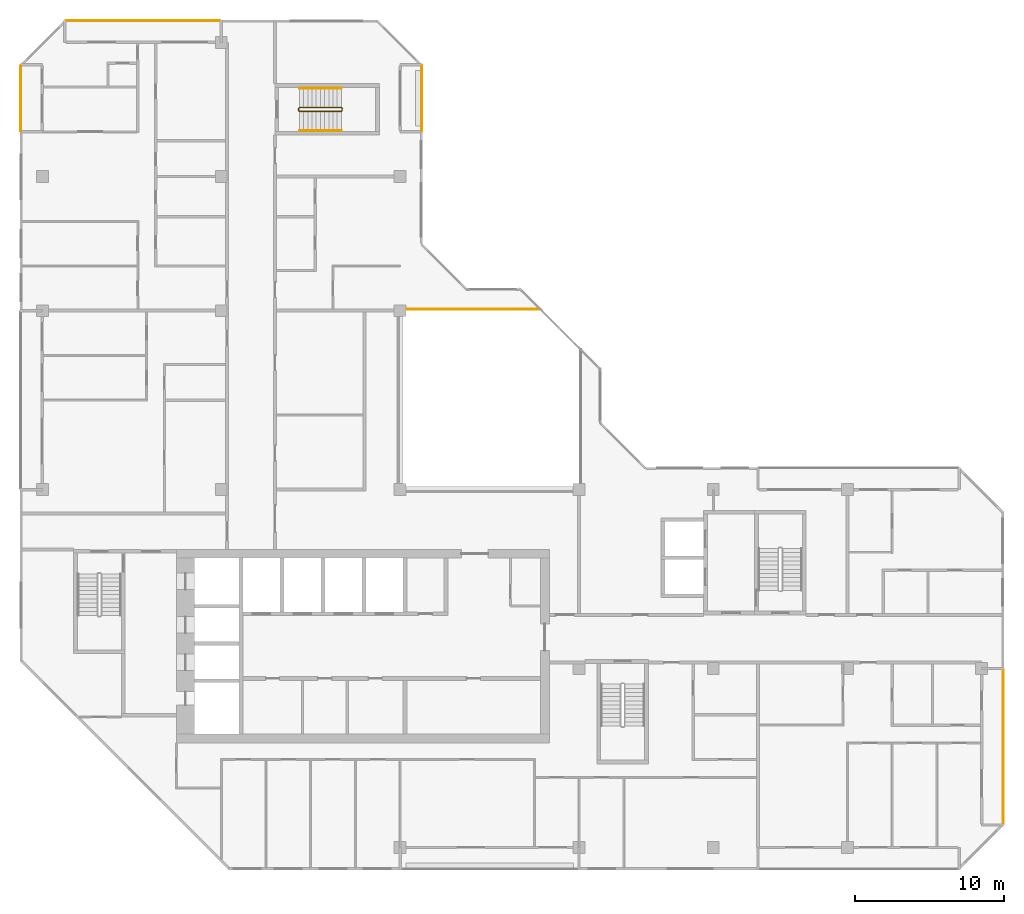
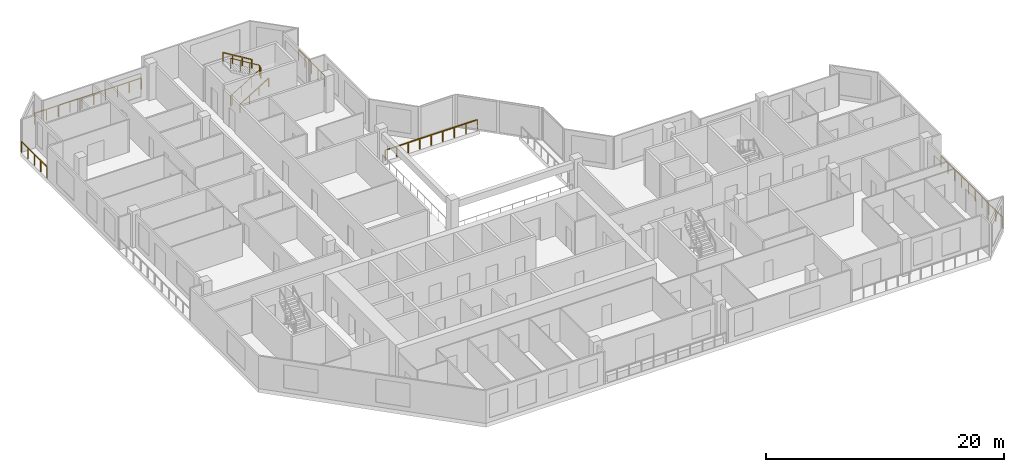
# One storey, part 13 of 13: 8 railings.
"""IFC4 building model written with IfcOpenShell, lengths in metres."""

import ifcopenshell
import ifcopenshell.guid

model = None  # the IFC model being written
_history = None  # IfcOwnerHistory: only IFC2X3 demands one
_inside = {}  # id of a spatial element -> (the spatial element, [elements in it])
_under = {}  # id of a project, library or spatial element -> (it, [spatial elements below it])
_declared = {}  # id of a project -> (the project, [libraries it declares])
_typed = {}  # id of a type object -> (the type object, [elements of that type])
_made_of = {}  # id of a material, layer set ... -> (it, [elements and type objects made of it])


def new_model(schema):
    """Start an empty IFC model of exactly this schema.

    Asked for "IFC4X3", IfcOpenShell would pick the latest addendum, in which some entities
    have other attributes; the version numbers below select the first issue.
    IFC2X3 requires an IfcOwnerHistory on every rooted entity: one is made here for all.
    """
    global model, _history
    if schema == "IFC4X3":
        model = ifcopenshell.file(schema_version=(4, 3, 0, 0))
    else:
        model = ifcopenshell.file(schema=schema)
    _inside.clear()
    _under.clear()
    _declared.clear()
    _typed.clear()
    _made_of.clear()
    _history = None
    if model.schema == "IFC2X3":
        org = make("IfcOrganization", Name="unknown")
        user = make(
            "IfcPersonAndOrganization",
            ThePerson=make("IfcPerson", FamilyName="unknown"),
            TheOrganization=org,
        )
        app = make(
            "IfcApplication",
            ApplicationDeveloper=org,
            Version="unknown",
            ApplicationFullName="unknown",
            ApplicationIdentifier="unknown",
        )
        _history = make(
            "IfcOwnerHistory",
            OwningUser=user,
            OwningApplication=app,
            ChangeAction="ADDED",
            CreationDate=0,
        )
    return model


def make(cls, **values):
    """One entity of the class cls with the attributes given. An attribute that is None is left unset."""
    return model.create_entity(
        cls, **{name: value for name, value in values.items() if value is not None}
    )


def rooted(cls, **values):
    """An entity with a GlobalId (a new one), such as an element, a storey or a relation."""
    return make(cls, GlobalId=ifcopenshell.guid.new(), OwnerHistory=_history, **values)


def si_unit(unit_type, name, prefix=None):
    """IfcSIUnit, for example si_unit("LENGTHUNIT", "METRE", prefix="MILLI")."""
    return make("IfcSIUnit", UnitType=unit_type, Prefix=prefix, Name=name)


def assignment(units):
    """IfcUnitAssignment: the units of a project."""
    return None if units is None else make("IfcUnitAssignment", Units=units)


def point(xyz):
    """IfcCartesianPoint."""
    return None if xyz is None else make("IfcCartesianPoint", Coordinates=xyz)


def direction(xyz):
    """IfcDirection."""
    return None if xyz is None else make("IfcDirection", DirectionRatios=xyz)


def frame(location, z_axis=None, x_axis=None):
    """IfcAxis2Placement3D, a coordinate frame: its origin and axes. An axis left out is left unset."""
    return make(
        "IfcAxis2Placement3D",
        Location=point(location),
        Axis=direction(z_axis),
        RefDirection=direction(x_axis),
    )


def frame_2d(location, x_axis=None):
    """IfcAxis2Placement2D, a coordinate frame in the plane: its origin and x axis."""
    return make(
        "IfcAxis2Placement2D", Location=point(location), RefDirection=direction(x_axis)
    )


def origin():
    """The frame at (0, 0, 0) with its axes left unset."""
    return frame((0.0, 0.0, 0.0))


def origin_2d():
    """The frame at (0, 0) in the plane with its x axis left unset."""
    return frame_2d((0.0, 0.0))


def place(relative_to, where):
    """IfcLocalPlacement: puts the frame where relative to a parent placement (None: the world)."""
    return make(
        "IfcLocalPlacement", PlacementRelTo=relative_to, RelativePlacement=where
    )


def context(
    kind, dimensions, precision=None, world=None, true_north=None, identifier=None
):
    """IfcGeometricRepresentationContext, for example the 3D "Model" context."""
    return make(
        "IfcGeometricRepresentationContext",
        ContextIdentifier=identifier,
        ContextType=kind,
        CoordinateSpaceDimension=dimensions,
        Precision=precision,
        WorldCoordinateSystem=world,
        TrueNorth=true_north,
    )


def subcontext(parent, identifier, kind, view, scale=None):
    """IfcGeometricRepresentationSubContext, for example "Body" below "Model"."""
    return make(
        "IfcGeometricRepresentationSubContext",
        ContextIdentifier=identifier,
        ContextType=kind,
        ParentContext=parent,
        TargetScale=scale,
        TargetView=view,
    )


def project(units=None, contexts=None):
    """IfcProject with its units and contexts."""
    return rooted(
        "IfcProject",
        Name="project",
        RepresentationContexts=contexts,
        UnitsInContext=assignment(units),
    )


def spatial(cls, under=None, at=None, **own):
    """A site, building, storey or space (cls), placed at a placement, below another one or the project."""
    s = rooted(cls, ObjectPlacement=at, **own)
    if under is not None:
        _under.setdefault(under.id(), (under, []))[1].append(s)
    return s


def profile(cls, at=None, kind="AREA", **sizes):
    """A parametric profile (cls). Its sizes go by their IFC names, for example OverallWidth=200.0."""
    return make(cls, ProfileType=kind, Position=at, **sizes)


def rectangle(**sizes):
    """IfcRectangleProfileDef."""
    return profile("IfcRectangleProfileDef", **sizes)


def extrude(swept, where, along, depth):
    """IfcExtrudedAreaSolid: the profile swept, set in the frame where, extruded along a direction by depth."""
    return make(
        "IfcExtrudedAreaSolid",
        SweptArea=swept,
        Position=where,
        ExtrudedDirection=direction(along),
        Depth=depth,
    )


def shape(context_of_items, identifier, shape_type, items):
    """IfcShapeRepresentation: the items that make up one representation, for example the "Body"."""
    return make(
        "IfcShapeRepresentation",
        ContextOfItems=context_of_items,
        RepresentationIdentifier=identifier,
        RepresentationType=shape_type,
        Items=items,
    )


def material(Name=None, Category=None):
    """IfcMaterial."""
    return make("IfcMaterial", Name=Name, Category=Category)


def made_of(thing, what):
    """Note that an element or type object is made of a material, layer set ...; save() writes the relation."""
    if what is not None:
        _made_of.setdefault(what.id(), (what, []))[1].append(thing)
    return thing


def type_object(cls, material=None, **own):
    """A type object (cls), such as IfcWallType, which elements share."""
    return made_of(rooted(cls, **own), material)


def element(
    cls,
    number,
    at=None,
    inside=None,
    cuts=None,
    type_object=None,
    material=None,
    context=None,
    identifier="Body",
    shape_type=None,
    held_by="IfcProductDefinitionShape",
    body=None,
    shapes=None,
    **own,
):
    """One element of the class cls, such as IfcWall. Its Tag is "e" and its number.

    at: its placement. inside: the storey or other place that contains it. cuts: it is an
    opening in that element (IfcRelVoidsElement). A single representation is given by context,
    identifier, shape_type and body (its items); several are given by shapes. held_by: the class
    of the entity that holds the representations. save() writes the other relations.
    """
    e = rooted(cls, Tag="e%d" % number, ObjectPlacement=at, **own)
    if body is not None:
        shapes = [shape(context, identifier, shape_type, body)]
    if shapes is not None:
        e.Representation = make(held_by, Representations=shapes)
    if inside is not None:
        _inside.setdefault(inside.id(), (inside, []))[1].append(e)
    if cuts is not None:
        rooted(
            "IfcRelVoidsElement", RelatingBuildingElement=cuts, RelatedOpeningElement=e
        )
    if type_object is not None:
        _typed.setdefault(type_object.id(), (type_object, []))[1].append(e)
    return made_of(e, material)


def aggregate(whole, parts):
    """IfcRelAggregates: a whole, such as a stair, and the parts it consists of."""
    return rooted("IfcRelAggregates", RelatingObject=whole, RelatedObjects=parts)


def save(model, path):
    """Write the relations noted so far, then the file.

    IfcRelAggregates (storeys below a building ...), IfcRelContainedInSpatialStructure (elements
    in a storey), IfcRelDefinesByType, IfcRelAssociatesMaterial and IfcRelDeclares: one each for
    every whole, place, type object, material and project.
    """
    for whole, parts in _under.values():
        aggregate(whole, parts)
    for where, things in _inside.values():
        rooted(
            "IfcRelContainedInSpatialStructure",
            RelatedElements=things,
            RelatingStructure=where,
        )
    for kind, things in _typed.values():
        rooted("IfcRelDefinesByType", RelatedObjects=things, RelatingType=kind)
    for what, things in _made_of.values():
        rooted("IfcRelAssociatesMaterial", RelatedObjects=things, RelatingMaterial=what)
    for by, libraries in _declared.values():
        rooted("IfcRelDeclares", RelatingContext=by, RelatedDefinitions=libraries)
    model.write(path)


model = new_model("IFC4")

# Units and contexts
model_context = context("Model", 3, precision=1e-05, world=origin(), true_north=direction((0.0, 1.0)))
body_context = subcontext(model_context, "Body", "Model", "MODEL_VIEW")
ifc_project = project(units=[si_unit("LENGTHUNIT", "METRE"), si_unit("AREAUNIT", "SQUARE_METRE"), si_unit("VOLUMEUNIT", "CUBIC_METRE"), si_unit("PLANEANGLEUNIT", "RADIAN"), si_unit("MASSUNIT", "GRAM", prefix="KILO")], contexts=[model_context])

# Site, building, storey
site_placement = place(None, origin())
site = spatial("IfcSite", under=ifc_project, at=site_placement, CompositionType="ELEMENT")
building_placement = place(site_placement, origin())
building = spatial("IfcBuilding", under=site, at=building_placement, Name="Chenar Terraces", CompositionType="ELEMENT")
storey_placement = place(building_placement, frame((0.0, 0.0, 277.14990234375)))
storey = spatial("IfcBuildingStorey", under=building, at=storey_placement, Name="L64", CompositionType="ELEMENT", Elevation=277.14990234375)

# Railings
ifc_material_1 = material(Name="Powder-coated steel", Category="steel")
railing_type_1 = type_object("IfcRailingType", Name="Guard 1100 steel rail with glass infill", PredefinedType="GUARDRAIL", material=ifc_material_1)
railing_1_placement = place(storey_placement, frame((24.449951171875, 36.10009765625, 0.0)))
element("IfcRailing", 1, at=railing_1_placement, inside=storey, type_object=railing_type_1, Name="Guard L64-2", PredefinedType="GUARDRAIL", context=body_context, shape_type="SweptSolid", body=[
    extrude(rectangle(XDim=0.06005859375, YDim=0.06005859375, at=origin_2d()), frame((0.0, 0.0, 1.070068359375), z_axis=(1.0, 0.0, 0.0), x_axis=(0.0, 1.0, 0.0)), (0.0, 0.0, 1.0), 8.949951171875),
    extrude(rectangle(XDim=0.050048828125, YDim=0.050048828125, at=origin_2d()), origin(), (0.0, 0.0, 1.0), 1.0400390625),
    extrude(rectangle(XDim=0.050048828125, YDim=0.050048828125, at=origin_2d()), frame((1.11865234375, 0.0, 0.0)), (0.0, 0.0, 1.0), 1.0400390625),
    extrude(rectangle(XDim=0.050048828125, YDim=0.050048828125, at=origin_2d()), frame((2.237548828125, 0.0, 0.0)), (0.0, 0.0, 1.0), 1.0400390625),
    extrude(rectangle(XDim=0.050048828125, YDim=0.050048828125, at=origin_2d()), frame((3.356201171875, 0.0, 0.0)), (0.0, 0.0, 1.0), 1.0400390625),
    extrude(rectangle(XDim=0.050048828125, YDim=0.050048828125, at=origin_2d()), frame((4.47509765625, 0.0, 0.0)), (0.0, 0.0, 1.0), 1.0400390625),
    extrude(rectangle(XDim=0.050048828125, YDim=0.050048828125, at=origin_2d()), frame((5.59375, 0.0, 0.0)), (0.0, 0.0, 1.0), 1.0400390625),
    extrude(rectangle(XDim=0.050048828125, YDim=0.050048828125, at=origin_2d()), frame((6.71240234375, 0.0, 0.0)), (0.0, 0.0, 1.0), 1.0400390625),
    extrude(rectangle(XDim=0.050048828125, YDim=0.050048828125, at=origin_2d()), frame((7.831298828125, 0.0, 0.0)), (0.0, 0.0, 1.0), 1.0400390625),
    extrude(rectangle(XDim=0.050048828125, YDim=0.050048828125, at=origin_2d()), frame((8.949951171875, 0.0, 0.0)), (0.0, 0.0, 1.0), 1.0400390625),
])
ifc_material_2 = material(Name="Stainless steel and glass", Category="steel")
railing_type_2 = type_object("IfcRailingType", Name="Loggia guard 1150", PredefinedType="GUARDRAIL", material=ifc_material_2)
railing_2_placement = place(storey_placement, frame((25.449951171875, 48.074951171875, 0.0)))
element("IfcRailing", 2, at=railing_2_placement, inside=storey, type_object=railing_type_2, Name="Loggia guard", PredefinedType="GUARDRAIL", context=body_context, shape_type="SweptSolid", body=[
    extrude(rectangle(XDim=0.048095703125, YDim=0.048095703125, at=origin_2d()), frame((0.0, 0.0, 1.1259765625), z_axis=(0.0, 1.0, 0.0), x_axis=(-1.0, 0.0, 0.0)), (0.0, 0.0, 1.0), 4.35009765625),
    extrude(rectangle(XDim=0.0419921875, YDim=0.0419921875, at=origin_2d()), origin(), (0.0, 0.0, 1.0), 1.101806640625),
    extrude(rectangle(XDim=0.0419921875, YDim=0.0419921875, at=origin_2d()), frame((0.0, 1.08740234375, 0.0)), (0.0, 0.0, 1.0), 1.101806640625),
    extrude(rectangle(XDim=0.0419921875, YDim=0.0419921875, at=origin_2d()), frame((0.0, 2.175048828125, 0.0)), (0.0, 0.0, 1.0), 1.101806640625),
    extrude(rectangle(XDim=0.0419921875, YDim=0.0419921875, at=origin_2d()), frame((0.0, 3.2626953125, 0.0)), (0.0, 0.0, 1.0), 1.101806640625),
    extrude(rectangle(XDim=0.0419921875, YDim=0.0419921875, at=origin_2d()), frame((0.0, 4.35009765625, 0.0)), (0.0, 0.0, 1.0), 1.101806640625),
])
railing_3_placement = place(storey_placement, frame((64.449951171875, 1.574951171875, 0.0)))
element("IfcRailing", 3, at=railing_3_placement, inside=storey, type_object=railing_type_2, Name="Loggia guard", PredefinedType="GUARDRAIL", context=body_context, shape_type="SweptSolid", body=[
    extrude(rectangle(XDim=0.048095703125, YDim=0.048095703125, at=origin_2d()), frame((0.0, 0.0, 1.1259765625), z_axis=(0.0, 1.0, 0.0), x_axis=(-1.0, 0.0, 0.0)), (0.0, 0.0, 1.0), 10.35009765625),
    extrude(rectangle(XDim=0.0419921875, YDim=0.0419921875, at=origin_2d()), origin(), (0.0, 0.0, 1.0), 1.101806640625),
    extrude(rectangle(XDim=0.0419921875, YDim=0.0419921875, at=origin_2d()), frame((0.0, 1.14990234375, 0.0)), (0.0, 0.0, 1.0), 1.101806640625),
    extrude(rectangle(XDim=0.0419921875, YDim=0.0419921875, at=origin_2d()), frame((0.0, 2.300048828125, 0.0)), (0.0, 0.0, 1.0), 1.101806640625),
    extrude(rectangle(XDim=0.0419921875, YDim=0.0419921875, at=origin_2d()), frame((0.0, 3.449951171875, 0.0)), (0.0, 0.0, 1.0), 1.101806640625),
    extrude(rectangle(XDim=0.0419921875, YDim=0.0419921875, at=origin_2d()), frame((0.0, 4.60009765625, 0.0)), (0.0, 0.0, 1.0), 1.101806640625),
    extrude(rectangle(XDim=0.0419921875, YDim=0.0419921875, at=origin_2d()), frame((0.0, 5.75, 0.0)), (0.0, 0.0, 1.0), 1.101806640625),
    extrude(rectangle(XDim=0.0419921875, YDim=0.0419921875, at=origin_2d()), frame((0.0, 6.900146484375, 0.0)), (0.0, 0.0, 1.0), 1.101806640625),
    extrude(rectangle(XDim=0.0419921875, YDim=0.0419921875, at=origin_2d()), frame((0.0, 8.050048828125, 0.0)), (0.0, 0.0, 1.0), 1.101806640625),
    extrude(rectangle(XDim=0.0419921875, YDim=0.0419921875, at=origin_2d()), frame((0.0, 9.2001953125, 0.0)), (0.0, 0.0, 1.0), 1.101806640625),
    extrude(rectangle(XDim=0.0419921875, YDim=0.0419921875, at=origin_2d()), frame((0.0, 10.35009765625, 0.0)), (0.0, 0.0, 1.0), 1.101806640625),
])
railing_4_placement = place(storey_placement, frame((11.925048828125, 55.449951171875, 0.0)))
element("IfcRailing", 4, at=railing_4_placement, inside=storey, type_object=railing_type_2, Name="Loggia guard", PredefinedType="GUARDRAIL", context=body_context, shape_type="SweptSolid", body=[
    extrude(rectangle(XDim=0.048095703125, YDim=0.048095703125, at=origin_2d()), frame((0.0, 0.0, 1.1259765625), z_axis=(-1.0, 0.0, 0.0), x_axis=(0.0, -1.0, 0.0)), (0.0, 0.0, 1.0), 10.35009765625),
    extrude(rectangle(XDim=0.0419921875, YDim=0.0419921875, at=origin_2d()), origin(), (0.0, 0.0, 1.0), 1.101806640625),
    extrude(rectangle(XDim=0.0419921875, YDim=0.0419921875, at=origin_2d()), frame((-1.14990234375, 0.0, 0.0)), (0.0, 0.0, 1.0), 1.101806640625),
    extrude(rectangle(XDim=0.0419921875, YDim=0.0419921875, at=origin_2d()), frame((-2.300048828125, 0.0, 0.0)), (0.0, 0.0, 1.0), 1.101806640625),
    extrude(rectangle(XDim=0.0419921875, YDim=0.0419921875, at=origin_2d()), frame((-3.449951171875, 0.0, 0.0)), (0.0, 0.0, 1.0), 1.101806640625),
    extrude(rectangle(XDim=0.0419921875, YDim=0.0419921875, at=origin_2d()), frame((-4.60009765625, 0.0, 0.0)), (0.0, 0.0, 1.0), 1.101806640625),
    extrude(rectangle(XDim=0.0419921875, YDim=0.0419921875, at=origin_2d()), frame((-5.75, 0.0, 0.0)), (0.0, 0.0, 1.0), 1.101806640625),
    extrude(rectangle(XDim=0.0419921875, YDim=0.0419921875, at=origin_2d()), frame((-6.900146484375, 0.0, 0.0)), (0.0, 0.0, 1.0), 1.101806640625),
    extrude(rectangle(XDim=0.0419921875, YDim=0.0419921875, at=origin_2d()), frame((-8.050048828125, 0.0, 0.0)), (0.0, 0.0, 1.0), 1.101806640625),
    extrude(rectangle(XDim=0.0419921875, YDim=0.0419921875, at=origin_2d()), frame((-9.2001953125, 0.0, 0.0)), (0.0, 0.0, 1.0), 1.101806640625),
    extrude(rectangle(XDim=0.0419921875, YDim=0.0419921875, at=origin_2d()), frame((-10.35009765625, 0.0, 0.0)), (0.0, 0.0, 1.0), 1.101806640625),
])
railing_5_placement = place(storey_placement, frame((-1.449951171875, 52.425048828125, 0.0)))
element("IfcRailing", 5, at=railing_5_placement, inside=storey, type_object=railing_type_2, Name="Loggia guard", PredefinedType="GUARDRAIL", context=body_context, shape_type="SweptSolid", body=[
    extrude(rectangle(XDim=0.048095703125, YDim=0.048095703125, at=origin_2d()), frame((0.0, 0.0, 1.1259765625), z_axis=(0.0, -1.0, 0.0), x_axis=(1.0, 0.0, 0.0)), (0.0, 0.0, 1.0), 4.35009765625),
    extrude(rectangle(XDim=0.0419921875, YDim=0.0419921875, at=origin_2d()), origin(), (0.0, 0.0, 1.0), 1.101806640625),
    extrude(rectangle(XDim=0.0419921875, YDim=0.0419921875, at=origin_2d()), frame((0.0, -1.08740234375, 0.0)), (0.0, 0.0, 1.0), 1.101806640625),
    extrude(rectangle(XDim=0.0419921875, YDim=0.0419921875, at=origin_2d()), frame((0.0, -2.175048828125, 0.0)), (0.0, 0.0, 1.0), 1.101806640625),
    extrude(rectangle(XDim=0.0419921875, YDim=0.0419921875, at=origin_2d()), frame((0.0, -3.2626953125, 0.0)), (0.0, 0.0, 1.0), 1.101806640625),
    extrude(rectangle(XDim=0.0419921875, YDim=0.0419921875, at=origin_2d()), frame((0.0, -4.35009765625, 0.0)), (0.0, 0.0, 1.0), 1.101806640625),
])
ifc_material_3 = material(Name="Powder-coated steel", Category="steel")
railing_type_3 = type_object("IfcRailingType", Name="Stair guard 1100", PredefinedType="GUARDRAIL", material=ifc_material_3)
railing_6_placement = place(storey_placement, frame((17.25, 49.625, 3.75)))
element("IfcRailing", 6, at=railing_6_placement, inside=storey, type_object=railing_type_3, Name="L64 ST4 stair guard 1", PredefinedType="GUARDRAIL", context=body_context, shape_type="SweptSolid", body=[
    extrude(rectangle(XDim=0.048095703125, YDim=0.048095703125, at=origin_2d()), frame((0.0, 0.0, 1.076171875), z_axis=(0.854202870247, 0.0, -0.519939858505), x_axis=(0.0, 1.0, 0.0)), (0.0, 0.0, 1.0), 3.278076171875),
    extrude(rectangle(XDim=0.048095703125, YDim=0.048095703125, at=origin_2d()), frame((2.800048828125, 0.0, -0.62841796875), z_axis=(0.270899902878, -0.270899902878, -0.923702595667), x_axis=(0.707106781187, 0.707106781187, 0.0)), (0.0, 0.0, 1.0), 0.184814453125),
    extrude(rectangle(XDim=0.048095703125, YDim=0.048095703125, at=origin_2d()), frame((2.85009765625, -0.050048828125, -0.798828125), z_axis=(0.0, -1.0, 0.0), x_axis=(1.0, 0.0, 0.0)), (0.0, 0.0, 1.0), 0.14990234375),
    extrude(rectangle(XDim=0.048095703125, YDim=0.048095703125, at=origin_2d()), frame((2.85009765625, -0.199951171875, -0.798828125), z_axis=(-0.707106781187, -0.707106781187, 0.0), x_axis=(0.707106781187, -0.707106781187, 0.0)), (0.0, 0.0, 1.0), 0.07080078125),
    extrude(rectangle(XDim=0.048095703125, YDim=0.048095703125, at=origin_2d()), frame((2.800048828125, -0.25, -0.798828125), z_axis=(-0.854202870247, 0.0, -0.519939858505), x_axis=(0.0, -1.0, 0.0)), (0.0, 0.0, 1.0), 3.278076171875),
    extrude(rectangle(XDim=0.048095703125, YDim=0.048095703125, at=origin_2d()), frame((0.0, -0.25, -2.50341796875), z_axis=(-0.270899902878, 0.270899902878, -0.923702595667), x_axis=(-0.707106781187, -0.707106781187, 0.0)), (0.0, 0.0, 1.0), 0.184814453125),
    extrude(rectangle(XDim=0.048095703125, YDim=0.048095703125, at=origin_2d()), frame((-0.050048828125, -0.199951171875, -2.673828125), z_axis=(0.0, 1.0, 0.0), x_axis=(-1.0, 0.0, 0.0)), (0.0, 0.0, 1.0), 0.14990234375),
    extrude(rectangle(XDim=0.0419921875, YDim=0.0419921875, at=origin_2d()), origin(), (0.0, 0.0, 1.0), 1.052001953125),
    extrude(rectangle(XDim=0.0419921875, YDim=0.0419921875, at=origin_2d()), frame((0.933349609375, 0.0, -0.568115234375)), (0.0, 0.0, 1.0), 1.052001953125),
    extrude(rectangle(XDim=0.0419921875, YDim=0.0419921875, at=origin_2d()), frame((1.86669921875, 0.0, -1.13623046875)), (0.0, 0.0, 1.0), 1.052001953125),
    extrude(rectangle(XDim=0.0419921875, YDim=0.0419921875, at=origin_2d()), frame((2.800048828125, 0.0, -1.704345703125)), (0.0, 0.0, 1.0), 1.052001953125),
    extrude(rectangle(XDim=0.0419921875, YDim=0.0419921875, at=origin_2d()), frame((2.85009765625, -0.050048828125, -1.875)), (0.0, 0.0, 1.0), 1.052001953125),
    extrude(rectangle(XDim=0.0419921875, YDim=0.0419921875, at=origin_2d()), frame((2.85009765625, -0.199951171875, -1.875)), (0.0, 0.0, 1.0), 1.052001953125),
    extrude(rectangle(XDim=0.0419921875, YDim=0.0419921875, at=origin_2d()), frame((2.800048828125, -0.25, -1.875)), (0.0, 0.0, 1.0), 1.052001953125),
    extrude(rectangle(XDim=0.0419921875, YDim=0.0419921875, at=origin_2d()), frame((1.86669921875, -0.25, -2.443115234375)), (0.0, 0.0, 1.0), 1.052001953125),
    extrude(rectangle(XDim=0.0419921875, YDim=0.0419921875, at=origin_2d()), frame((0.933349609375, -0.25, -3.01123046875)), (0.0, 0.0, 1.0), 1.052001953125),
    extrude(rectangle(XDim=0.0419921875, YDim=0.0419921875, at=origin_2d()), frame((0.0, -0.25, -3.579345703125)), (0.0, 0.0, 1.0), 1.052001953125),
    extrude(rectangle(XDim=0.0419921875, YDim=0.0419921875, at=origin_2d()), frame((-0.050048828125, -0.199951171875, -3.75)), (0.0, 0.0, 1.0), 1.052001953125),
    extrude(rectangle(XDim=0.0419921875, YDim=0.0419921875, at=origin_2d()), frame((-0.050048828125, -0.050048828125, -3.75)), (0.0, 0.0, 1.0), 1.052001953125),
])
ifc_material_4 = material(Name="Powder-coated steel", Category="steel")
railing_type_4 = type_object("IfcRailingType", Name="Stair handrail 900", PredefinedType="HANDRAIL", material=ifc_material_4)
railing_7_placement = place(storey_placement, frame((17.25, 48.074951171875, 0.170654296875)))
element("IfcRailing", 7, at=railing_7_placement, inside=storey, type_object=railing_type_4, Name="L64 ST4 stair handrail 1", PredefinedType="HANDRAIL", context=body_context, shape_type="SweptSolid", body=[
    extrude(rectangle(XDim=0.048095703125, YDim=0.048095703125, at=origin_2d()), frame((0.0, 0.0, 0.8759765625), z_axis=(0.854202870247, 0.0, 0.519939858505), x_axis=(0.0, 1.0, 0.0)), (0.0, 0.0, 1.0), 3.278076171875),
    extrude(rectangle(XDim=0.0419921875, YDim=0.0419921875, at=origin_2d()), origin(), (0.0, 0.0, 1.0), 0.851806640625),
    extrude(rectangle(XDim=0.0419921875, YDim=0.0419921875, at=origin_2d()), frame((0.933349609375, 0.0, 0.568115234375)), (0.0, 0.0, 1.0), 0.851806640625),
    extrude(rectangle(XDim=0.0419921875, YDim=0.0419921875, at=origin_2d()), frame((1.86669921875, 0.0, 1.13623046875)), (0.0, 0.0, 1.0), 0.851806640625),
    extrude(rectangle(XDim=0.0419921875, YDim=0.0419921875, at=origin_2d()), frame((2.800048828125, 0.0, 1.704345703125)), (0.0, 0.0, 1.0), 0.851806640625),
])
railing_8_placement = place(storey_placement, frame((20.050048828125, 50.925048828125, 2.045654296875)))
element("IfcRailing", 8, at=railing_8_placement, inside=storey, type_object=railing_type_4, Name="L64 ST4 stair handrail 2", PredefinedType="HANDRAIL", context=body_context, shape_type="SweptSolid", body=[
    extrude(rectangle(XDim=0.048095703125, YDim=0.048095703125, at=origin_2d()), frame((0.0, 0.0, 0.8759765625), z_axis=(-0.854202870247, 0.0, 0.519939858505), x_axis=(0.0, -1.0, 0.0)), (0.0, 0.0, 1.0), 3.278076171875),
    extrude(rectangle(XDim=0.0419921875, YDim=0.0419921875, at=origin_2d()), origin(), (0.0, 0.0, 1.0), 0.851806640625),
    extrude(rectangle(XDim=0.0419921875, YDim=0.0419921875, at=origin_2d()), frame((-0.933349609375, 0.0, 0.568115234375)), (0.0, 0.0, 1.0), 0.851806640625),
    extrude(rectangle(XDim=0.0419921875, YDim=0.0419921875, at=origin_2d()), frame((-1.86669921875, 0.0, 1.13623046875)), (0.0, 0.0, 1.0), 0.851806640625),
    extrude(rectangle(XDim=0.0419921875, YDim=0.0419921875, at=origin_2d()), frame((-2.800048828125, 0.0, 1.704345703125)), (0.0, 0.0, 1.0), 0.851806640625),
])

save(model, "model.ifc")
